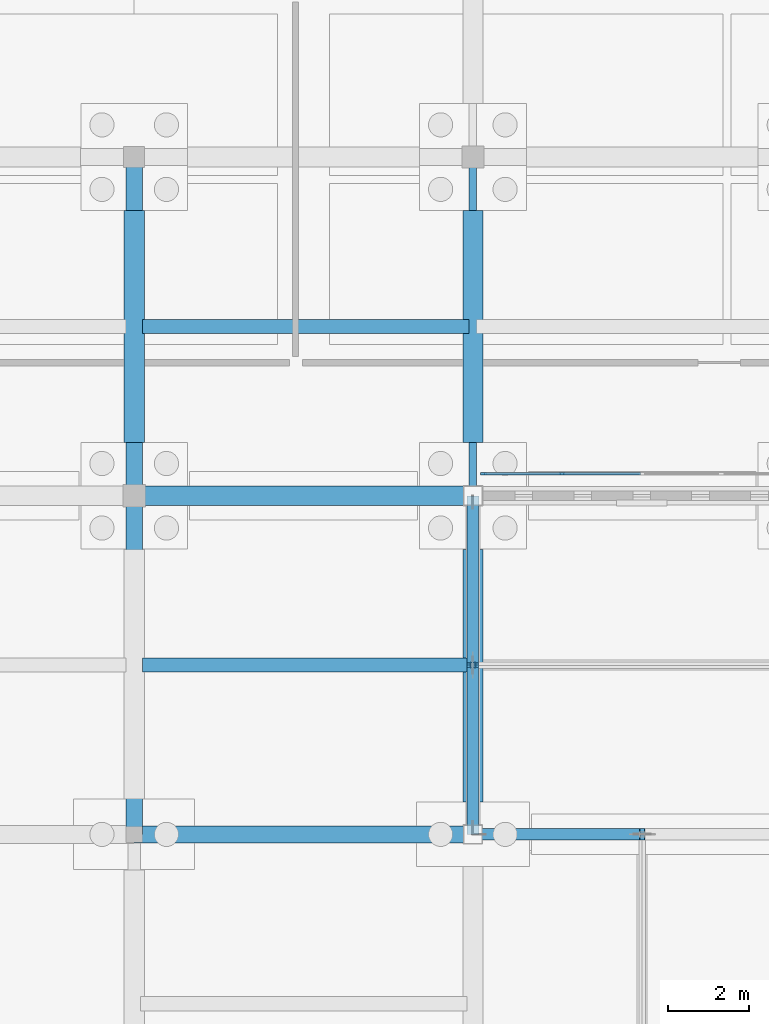
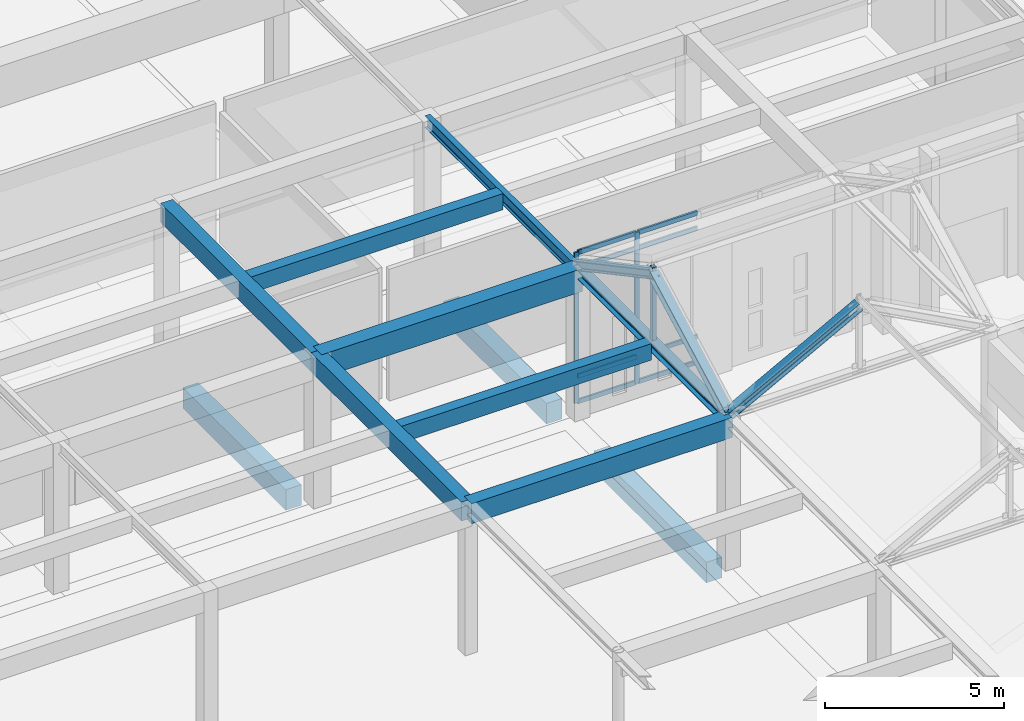
# One storey, part 58 of 143: 14 members, 11 beams, 1 element without a shape of its own.
"""IFC4 building model written with IfcOpenShell, lengths in metres."""

from ifc_helpers import new_model, si_unit, direction, frame, origin, origin_2d, place, context, subcontext, project, spatial, rectangle, hollow_rectangle, i_section, extrude, material, layer, layer_set, material_profile, profile_set, type_object, element, aggregate, save


model = new_model("IFC4")

# Units and contexts
model_context = context("Model", 3, precision=1e-05, world=origin(), true_north=direction((0.0, 1.0)))
body_context = subcontext(model_context, "Body", "Model", "MODEL_VIEW")
ifc_project = project(units=[si_unit("LENGTHUNIT", "METRE"), si_unit("AREAUNIT", "SQUARE_METRE"), si_unit("VOLUMEUNIT", "CUBIC_METRE"), si_unit("PLANEANGLEUNIT", "RADIAN"), si_unit("MASSUNIT", "GRAM", prefix="KILO")], contexts=[model_context])

# Site, building, storey
site_placement = place(None, origin())
site = spatial("IfcSite", under=ifc_project, at=site_placement, CompositionType="ELEMENT")
building_placement = place(site_placement, origin())
building = spatial("IfcBuilding", under=site, at=building_placement, Name="Kveldsbrygga Polytechnic", CompositionType="ELEMENT")
storey_placement = place(building_placement, origin())
storey = spatial("IfcBuildingStorey", under=building, at=storey_placement, Name="L00", CompositionType="ELEMENT", Elevation=0.0)

# Beams
ifc_material_1 = material(Name="Concrete C35/45", Category="concrete")
ifc_material_profile_1 = material_profile(ifc_material_1, rectangle(XDim=0.39990234375, YDim=0.64990234375, at=origin_2d()), Name="RC 400x650")
ifc_profile_set_1 = profile_set([ifc_material_profile_1], Name="Concrete C35/45")
beam_type_1 = type_object("IfcBeamType", Name="BM-RC-400x650", PredefinedType="BEAM", material=ifc_profile_set_1)
for number, where, z_axis, x_axis, name in (
    (1, (67.199951171875, 75.60009765625, 4.81494140625), (0.0, 1.0, 0.0), (-1.0, 0.0, 0.0), "Primary Beam BMY-L00-08-09to10"),
    (2, (67.199951171875, 84.0, 4.81494140625), (0.0, 1.0, 0.0), (-1.0, 0.0, 0.0), "Primary Beam BMY-L00-08-10to11"),
):
    element("IfcBeam", number, at=place(storey_placement, frame(where, z_axis=z_axis, x_axis=x_axis)), inside=storey, type_object=beam_type_1, Name=name, PredefinedType="BEAM", context=body_context, shape_type="SweptSolid", body=[
        extrude(rectangle(XDim=0.39990234375, YDim=0.64990234375, at=origin_2d()), origin(), (0.0, 0.0, 1.0), 8.39990234375),
    ])
ifc_material_profile_2 = material_profile(ifc_material_1, rectangle(XDim=0.419921875, YDim=0.679931640625, at=origin_2d()), Name="RC 420x680")
ifc_profile_set_2 = profile_set([ifc_material_profile_2], Name="Concrete C35/45")
beam_type_2 = type_object("IfcBeamType", Name="BM-RC-420x680", PredefinedType="BEAM", material=ifc_profile_set_2)
beam_1_placement = place(storey_placement, frame((67.199951171875, 75.60009765625, 4.800048828125), z_axis=(1.0, 0.0, 0.0), x_axis=(0.0, 1.0, 0.0)))
element("IfcBeam", 3, at=beam_1_placement, inside=storey, type_object=beam_type_2, Name="Primary Beam BMX-L00-08to09-09", PredefinedType="BEAM", context=body_context, shape_type="SweptSolid", body=[
    extrude(rectangle(XDim=0.419921875, YDim=0.679931640625, at=origin_2d()), origin(), (0.0, 0.0, 1.0), 8.400146484375),
])
ifc_material_profile_3 = material_profile(ifc_material_1, rectangle(XDim=0.47998046875, YDim=0.780029296875, at=origin_2d()), Name="RC 480x780")
ifc_profile_set_3 = profile_set([ifc_material_profile_3], Name="Concrete C35/45")
beam_type_3 = type_object("IfcBeamType", Name="BM-RC-480x780", PredefinedType="BEAM", material=ifc_profile_set_3)
beam_2_placement = place(storey_placement, frame((67.199951171875, 84.0, 4.75), z_axis=(1.0, 0.0, 0.0), x_axis=(0.0, 1.0, 0.0)))
element("IfcBeam", 4, at=beam_2_placement, inside=storey, type_object=beam_type_3, Name="Primary Beam BMX-L00-08to09-10", PredefinedType="BEAM", context=body_context, shape_type="SweptSolid", body=[
    extrude(rectangle(XDim=0.47998046875, YDim=0.780029296875, at=origin_2d()), origin(), (0.0, 0.0, 1.0), 8.400146484375),
])
ifc_material_2 = material(Name="Steel S355", Category="steel")
ifc_material_profile_4 = material_profile(ifc_material_2, i_section(OverallWidth=0.300048828125, OverallDepth=0.31005859375, WebThickness=0.009033203125, FlangeThickness=0.015380859375, FilletRadius=0.027099609375, at=origin_2d()), Name="HEA 320")
ifc_profile_set_4 = profile_set([ifc_material_profile_4], Name="Steel S355")
beam_type_4 = type_object("IfcBeamType", Name="BM-STL-HEA320", PredefinedType="BEAM", material=ifc_profile_set_4)
beam_3_placement = place(storey_placement, frame((75.60009765625, 75.60009765625, 4.985107421875), z_axis=(0.0, 1.0, 0.0), x_axis=(-1.0, 0.0, 0.0)))
element("IfcBeam", 5, at=beam_3_placement, inside=storey, type_object=beam_type_4, Name="Primary Beam BMY-L00-09-09to10", PredefinedType="BEAM", context=body_context, shape_type="SweptSolid", body=[
    extrude(i_section(OverallWidth=0.300048828125, OverallDepth=0.31005859375, WebThickness=0.009033203125, FlangeThickness=0.015380859375, FilletRadius=0.027099609375, at=origin_2d()), origin(), (0.0, 0.0, 1.0), 8.39990234375),
])
ifc_material_profile_5 = material_profile(ifc_material_2, i_section(OverallWidth=0.179931640625, OverallDepth=0.39990234375, WebThickness=0.008544921875, FlangeThickness=0.013427734375, FilletRadius=0.02099609375, at=origin_2d()), Name="IPE 400")
ifc_profile_set_5 = profile_set([ifc_material_profile_5], Name="Steel S355")
beam_type_5 = type_object("IfcBeamType", Name="BM-STL-IPE400", PredefinedType="BEAM", material=ifc_profile_set_5)
beam_4_placement = place(storey_placement, frame((75.60009765625, 84.0, 4.93994140625), z_axis=(0.0, 1.0, 0.0), x_axis=(-1.0, 0.0, 0.0)))
element("IfcBeam", 6, at=beam_4_placement, inside=storey, type_object=beam_type_5, Name="Primary Beam BMY-L00-09-10to11", PredefinedType="BEAM", context=body_context, shape_type="SweptSolid", body=[
    extrude(i_section(OverallWidth=0.179931640625, OverallDepth=0.39990234375, WebThickness=0.008544921875, FlangeThickness=0.013427734375, FilletRadius=0.02099609375, at=origin_2d()), origin(), (0.0, 0.0, 1.0), 8.39990234375),
])
ifc_material_profile_6 = material_profile(ifc_material_1, rectangle(XDim=0.5, YDim=0.699951171875, at=origin_2d()), Name="RC 500x700")
ifc_profile_set_6 = profile_set([ifc_material_profile_6], Name="Concrete C35/45")
beam_type_6 = type_object("IfcBeamType", Name="BM-TIE-500x700", PredefinedType="BEAM", material=ifc_profile_set_6)
beam_5_placement = place(storey_placement, frame((67.199951171875, 85.326904296875, -0.669921875), z_axis=(0.0, 1.0, 0.0), x_axis=(-1.0, 0.0, 0.0)))
element("IfcBeam", 7, at=beam_5_placement, inside=storey, type_object=beam_type_6, Name="Ground Tie Beam GB-L00-Y-08-10", PredefinedType="BEAM", context=body_context, shape_type="SweptSolid", body=[
    extrude(rectangle(XDim=0.5, YDim=0.699951171875, at=origin_2d()), origin(), (0.0, 0.0, 1.0), 5.74609375),
])
beam_6_placement = place(storey_placement, frame((75.60009765625, 76.402099609375, -0.669921875), z_axis=(0.0, 1.0, 0.0), x_axis=(-1.0, 0.0, 0.0)))
element("IfcBeam", 8, at=beam_6_placement, inside=storey, type_object=beam_type_6, Name="Ground Tie Beam GB-L00-Y-09-09", PredefinedType="BEAM", context=body_context, shape_type="SweptSolid", body=[
    extrude(rectangle(XDim=0.5, YDim=0.699951171875, at=origin_2d()), origin(), (0.0, 0.0, 1.0), 6.27099609375),
])
beam_7_placement = place(storey_placement, frame((75.60009765625, 85.326904296875, -0.669921875), z_axis=(0.0, 1.0, 0.0), x_axis=(-1.0, 0.0, 0.0)))
element("IfcBeam", 9, at=beam_7_placement, inside=storey, type_object=beam_type_6, Name="Ground Tie Beam GB-L00-Y-09-10", PredefinedType="BEAM", context=body_context, shape_type="SweptSolid", body=[
    extrude(rectangle(XDim=0.5, YDim=0.699951171875, at=origin_2d()), origin(), (0.0, 0.0, 1.0), 5.74609375),
])

# Curtain wall, members
ifc_material_3 = material(Name="Anodised aluminium AW-6060", Category="aluminium")
ifc_layer = layer(ifc_material_3, 0.199951171875)
ifc_layer_set = layer_set([ifc_layer], Name="Anodised aluminium AW-6060")
curtain_wall_type = type_object("IfcCurtainWallType", Name="CW-LANC-E", PredefinedType="USERDEFINED", material=ifc_layer_set)
curtain_wall_placement = place(storey_placement, origin())
curtain_wall = element("IfcCurtainWall", 10, at=curtain_wall_placement, inside=storey, type_object=curtain_wall_type, Name="Curtain Wall CW-L00-X-09-10", ObjectType="UNITISED CURTAIN WALL", PredefinedType="USERDEFINED")
ifc_material_profile_7 = material_profile(ifc_material_3, rectangle(XDim=0.06005859375, YDim=0.139892578125, at=origin_2d()), Name="ALU 60x140")
ifc_profile_set_7 = profile_set([ifc_material_profile_7], Name="Anodised aluminium AW-6060")
member_type_1 = type_object("IfcMemberType", Name="CW-MUL-140", PredefinedType="MULLION", material=ifc_profile_set_7)
member_1_placement = place(storey_placement, frame((75.864990234375, 84.550048828125, 0.0), z_axis=(0.0, 0.0, 1.0), x_axis=(0.0, 1.0, 0.0)))
member_1 = element("IfcMember", 11, at=member_1_placement, type_object=member_type_1, Name="CW-05 mullion 1", PredefinedType="MULLION", context=body_context, shape_type="SweptSolid", body=[
    extrude(rectangle(XDim=0.06005859375, YDim=0.139892578125, at=origin_2d()), origin(), (0.0, 0.0, 1.0), 5.139892578125),
])
member_2_placement = place(storey_placement, frame((77.811279296875, 84.550048828125, 0.0), z_axis=(0.0, 0.0, 1.0), x_axis=(0.0, 1.0, 0.0)))
member_2 = element("IfcMember", 12, at=member_2_placement, type_object=member_type_1, Name="CW-05 mullion 2", PredefinedType="MULLION", context=body_context, shape_type="SweptSolid", body=[
    extrude(rectangle(XDim=0.06005859375, YDim=0.139892578125, at=origin_2d()), origin(), (0.0, 0.0, 1.0), 5.139892578125),
])
ifc_material_profile_8 = material_profile(ifc_material_3, rectangle(XDim=0.06005859375, YDim=0.14990234375, at=origin_2d()), Name="ALU 60x150")
ifc_profile_set_8 = profile_set([ifc_material_profile_8], Name="Anodised aluminium AW-6060")
member_type_2 = type_object("IfcMemberType", Name="CW-TRN-150", PredefinedType="USERDEFINED", material=ifc_profile_set_8)
member_3_placement = place(storey_placement, frame((75.89501953125, 84.550048828125, 0.030029296875), z_axis=(1.0, 0.0, 0.0), x_axis=(0.0, 1.0, 0.0)))
member_3 = element("IfcMember", 13, at=member_3_placement, type_object=member_type_2, Name="CW-05 transom 1.1", ObjectType="TRANSOM", PredefinedType="USERDEFINED", context=body_context, shape_type="SweptSolid", body=[
    extrude(rectangle(XDim=0.06005859375, YDim=0.14990234375, at=origin_2d()), origin(), (0.0, 0.0, 1.0), 1.88623046875),
])
member_4_placement = place(storey_placement, frame((75.89501953125, 84.550048828125, 0.89990234375), z_axis=(1.0, 0.0, 0.0), x_axis=(0.0, 1.0, 0.0)))
member_4 = element("IfcMember", 14, at=member_4_placement, type_object=member_type_2, Name="CW-05 transom 1.2", ObjectType="TRANSOM", PredefinedType="USERDEFINED", context=body_context, shape_type="SweptSolid", body=[
    extrude(rectangle(XDim=0.06005859375, YDim=0.14990234375, at=origin_2d()), origin(), (0.0, 0.0, 1.0), 1.88623046875),
])
member_5_placement = place(storey_placement, frame((75.89501953125, 84.550048828125, 4.590087890625), z_axis=(1.0, 0.0, 0.0), x_axis=(0.0, 1.0, 0.0)))
member_5 = element("IfcMember", 15, at=member_5_placement, type_object=member_type_2, Name="CW-05 transom 1.3", ObjectType="TRANSOM", PredefinedType="USERDEFINED", context=body_context, shape_type="SweptSolid", body=[
    extrude(rectangle(XDim=0.06005859375, YDim=0.14990234375, at=origin_2d()), origin(), (0.0, 0.0, 1.0), 1.88623046875),
])
member_6_placement = place(storey_placement, frame((75.89501953125, 84.550048828125, 5.110107421875), z_axis=(1.0, 0.0, 0.0), x_axis=(0.0, 1.0, 0.0)))
member_6 = element("IfcMember", 16, at=member_6_placement, type_object=member_type_2, Name="CW-05 transom 1.4", ObjectType="TRANSOM", PredefinedType="USERDEFINED", context=body_context, shape_type="SweptSolid", body=[
    extrude(rectangle(XDim=0.06005859375, YDim=0.14990234375, at=origin_2d()), origin(), (0.0, 0.0, 1.0), 1.88623046875),
])
member_7_placement = place(storey_placement, frame((77.84130859375, 84.550048828125, 0.030029296875), z_axis=(1.0, 0.0, 0.0), x_axis=(0.0, 1.0, 0.0)))
member_7 = element("IfcMember", 17, at=member_7_placement, type_object=member_type_2, Name="CW-05 transom 2.1", ObjectType="TRANSOM", PredefinedType="USERDEFINED", context=body_context, shape_type="SweptSolid", body=[
    extrude(rectangle(XDim=0.06005859375, YDim=0.14990234375, at=origin_2d()), origin(), (0.0, 0.0, 1.0), 1.916259765625),
])
member_8_placement = place(storey_placement, frame((77.84130859375, 84.550048828125, 0.89990234375), z_axis=(1.0, 0.0, 0.0), x_axis=(0.0, 1.0, 0.0)))
member_8 = element("IfcMember", 18, at=member_8_placement, type_object=member_type_2, Name="CW-05 transom 2.2", ObjectType="TRANSOM", PredefinedType="USERDEFINED", context=body_context, shape_type="SweptSolid", body=[
    extrude(rectangle(XDim=0.06005859375, YDim=0.14990234375, at=origin_2d()), origin(), (0.0, 0.0, 1.0), 1.916259765625),
])
member_9_placement = place(storey_placement, frame((77.84130859375, 84.550048828125, 4.590087890625), z_axis=(1.0, 0.0, 0.0), x_axis=(0.0, 1.0, 0.0)))
member_9 = element("IfcMember", 19, at=member_9_placement, type_object=member_type_2, Name="CW-05 transom 2.3", ObjectType="TRANSOM", PredefinedType="USERDEFINED", context=body_context, shape_type="SweptSolid", body=[
    extrude(rectangle(XDim=0.06005859375, YDim=0.14990234375, at=origin_2d()), origin(), (0.0, 0.0, 1.0), 1.916259765625),
])
member_10_placement = place(storey_placement, frame((77.84130859375, 84.550048828125, 5.110107421875), z_axis=(1.0, 0.0, 0.0), x_axis=(0.0, 1.0, 0.0)))
member_10 = element("IfcMember", 20, at=member_10_placement, type_object=member_type_2, Name="CW-05 transom 2.4", ObjectType="TRANSOM", PredefinedType="USERDEFINED", context=body_context, shape_type="SweptSolid", body=[
    extrude(rectangle(XDim=0.06005859375, YDim=0.14990234375, at=origin_2d()), origin(), (0.0, 0.0, 1.0), 1.916259765625),
])
aggregate(curtain_wall, [member_1, member_2, member_3, member_4, member_5, member_6, member_7, member_8, member_9, member_10])

# Beams
ifc_material_profile_9 = material_profile(ifc_material_1, rectangle(XDim=0.340087890625, YDim=0.56005859375, at=origin_2d()), Name="RC 340x560")
ifc_profile_set_9 = profile_set([ifc_material_profile_9], Name="Concrete C35/45")
beam_type_7 = type_object("IfcBeamType", Name="JST-RC-340x560", PredefinedType="JOIST", material=ifc_profile_set_9)
beam_8_placement = place(storey_placement, frame((67.39990234375, 79.800048828125, 4.860107421875), z_axis=(1.0, 0.0, 0.0), x_axis=(0.0, 1.0, 0.0)))
element("IfcBeam", 21, at=beam_8_placement, inside=storey, type_object=beam_type_7, Name="Secondary Joist JST-L00-08-09", PredefinedType="JOIST", context=body_context, shape_type="SweptSolid", body=[
    extrude(rectangle(XDim=0.340087890625, YDim=0.56005859375, at=origin_2d()), origin(), (0.0, 0.0, 1.0), 8.050048828125),
])
ifc_material_profile_10 = material_profile(ifc_material_1, rectangle(XDim=0.35009765625, YDim=0.550048828125, at=origin_2d()), Name="RC 350x550")
ifc_profile_set_10 = profile_set([ifc_material_profile_10], Name="Concrete C35/45")
beam_type_8 = type_object("IfcBeamType", Name="JST-RC-350x550", PredefinedType="JOIST", material=ifc_profile_set_10)
beam_9_placement = place(storey_placement, frame((67.39990234375, 88.199951171875, 4.864990234375), z_axis=(1.0, 0.0, 0.0), x_axis=(0.0, 1.0, 0.0)))
element("IfcBeam", 22, at=beam_9_placement, inside=storey, type_object=beam_type_8, Name="Secondary Joist JST-L00-08-10", PredefinedType="JOIST", context=body_context, shape_type="SweptSolid", body=[
    extrude(rectangle(XDim=0.35009765625, YDim=0.550048828125, at=origin_2d()), origin(), (0.0, 0.0, 1.0), 8.110107421875),
])

# Members
ifc_material_profile_11 = material_profile(ifc_material_2, hollow_rectangle(XDim=0.139892578125, YDim=0.139892578125, WallThickness=0.008056640625, at=origin_2d()), Name="SHS 140x140x8.0")
ifc_profile_set_11 = profile_set([ifc_material_profile_11], Name="Steel S355")
member_type_3 = type_object("IfcMemberType", Name="TR-POST-SHS140", PredefinedType="STRUT", material=ifc_profile_set_11)
member_11_placement = place(storey_placement, frame((75.60009765625, 79.800048828125, 5.139892578125), z_axis=(0.0, 0.0, 1.0), x_axis=(1.0, 0.0, 0.0)))
element("IfcMember", 23, at=member_11_placement, inside=storey, type_object=member_type_3, Name="Truss Vertical ARC-EN-T01-VT-1", PredefinedType="STRUT", context=body_context, shape_type="SweptSolid", body=[
    extrude(hollow_rectangle(XDim=0.139892578125, YDim=0.139892578125, WallThickness=0.008056640625, at=origin_2d()), origin(), (0.0, 0.0, 1.0), 2.493896484375),
])
ifc_material_profile_12 = material_profile(ifc_material_2, i_section(OverallWidth=0.280029296875, OverallDepth=0.280029296875, WebThickness=0.010498046875, FlangeThickness=0.01806640625, FilletRadius=0.02392578125, at=origin_2d()), Name="HEB 280")
ifc_profile_set_12 = profile_set([ifc_material_profile_12], Name="Steel S355")
member_type_4 = type_object("IfcMemberType", Name="TR-TOP-HEB280", PredefinedType="CHORD", material=ifc_profile_set_12)
for number, where, z_axis, x_axis, name in (
    (24, (75.60009765625, 75.60009765625, 5.139892578125), (0.0, 0.881477684796, 0.472225678258), (-1.0, 0.0, 0.0), "Truss Top Chord ARC-EN-T01-TC-1"),
    (25, (75.60009765625, 79.800048828125, 7.389892578125), (0.0, 0.881477684796, -0.472225678258), (-1.0, 0.0, 0.0), "Truss Top Chord ARC-EN-T01-TC-2"),
    (26, (75.60009765625, 75.60009765625, 5.139892578125), (0.881477684796, 0.0, 0.472225678258), (0.0, 1.0, 0.0), "Truss Top Chord ARC-EW-T06-TC-1"),
):
    element("IfcMember", number, at=place(storey_placement, frame(where, z_axis=z_axis, x_axis=x_axis)), inside=storey, type_object=member_type_4, Name=name, PredefinedType="CHORD", context=body_context, shape_type="SweptSolid", body=[
        extrude(i_section(OverallWidth=0.280029296875, OverallDepth=0.280029296875, WebThickness=0.010498046875, FlangeThickness=0.01806640625, FilletRadius=0.02392578125, at=origin_2d()), origin(), (0.0, 0.0, 1.0), 4.7646484375),
    ])

save(model, "model.ifc")
